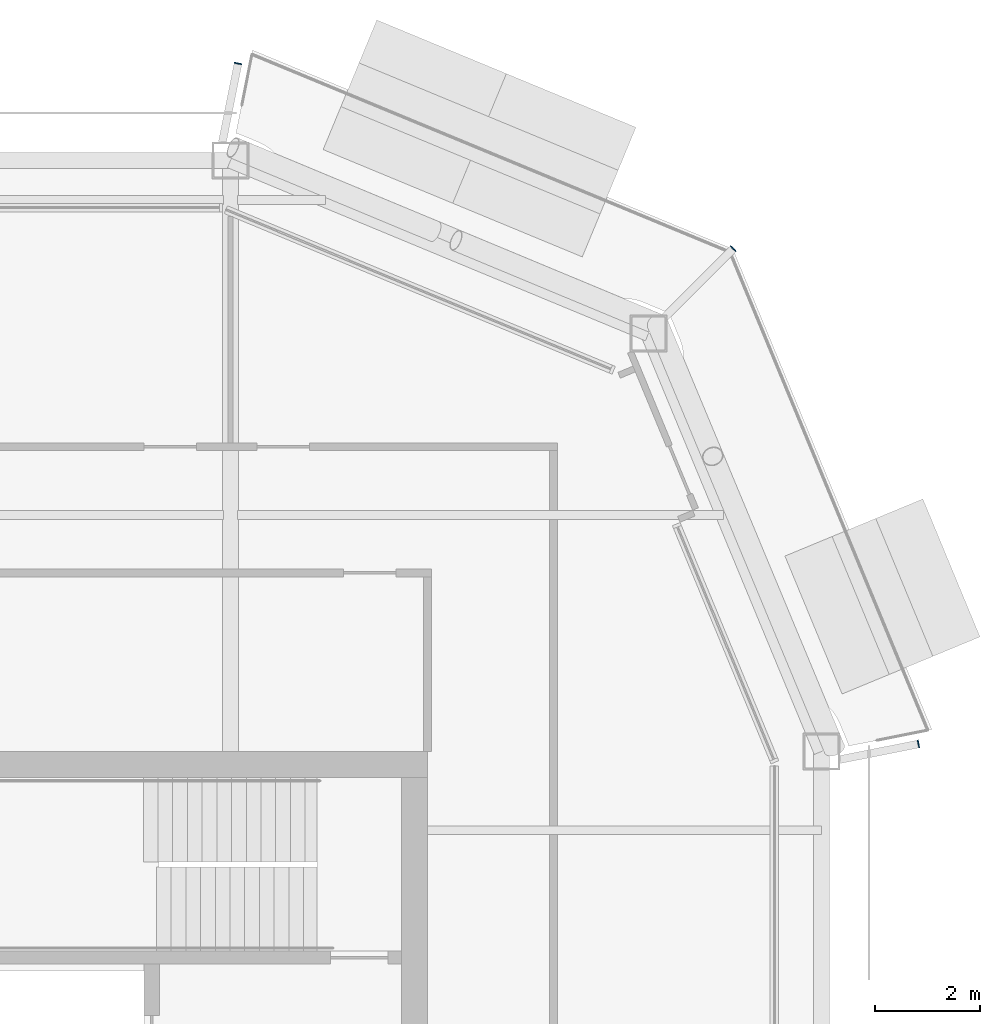
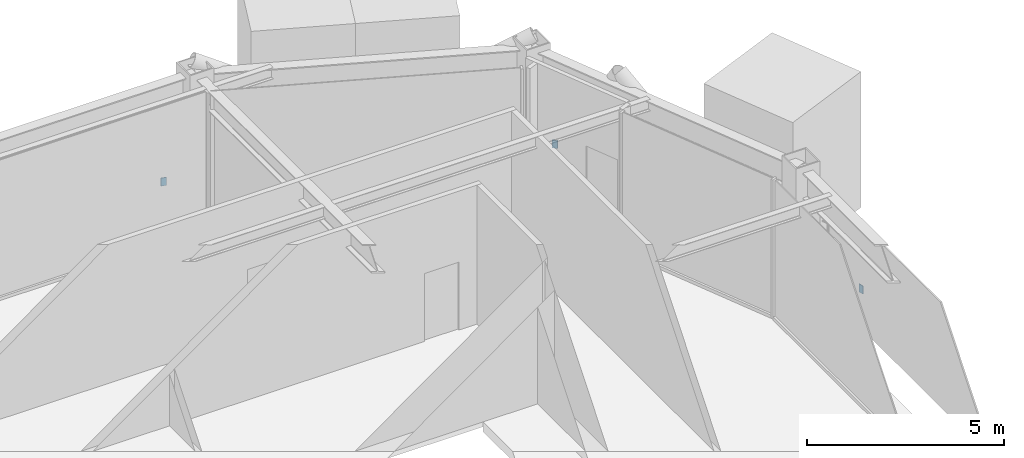
# One storey, part 16 of 21: 3 discrete accessories.
"""IFC4 building model written with IfcOpenShell, lengths in metres."""

from ifc_helpers import new_model, si_unit, direction, frame, origin, origin_2d, place, context, subcontext, project, spatial, rectangle, extrude, material, layer, layer_set, type_object, element, save


model = new_model("IFC4")

# Units and contexts
model_context = context("Model", 3, precision=1e-05, world=origin(), true_north=direction((0.0, 1.0)))
body_context = subcontext(model_context, "Body", "Model", "MODEL_VIEW")
ifc_project = project(units=[si_unit("LENGTHUNIT", "METRE"), si_unit("AREAUNIT", "SQUARE_METRE"), si_unit("VOLUMEUNIT", "CUBIC_METRE"), si_unit("PLANEANGLEUNIT", "RADIAN"), si_unit("MASSUNIT", "GRAM", prefix="KILO")], contexts=[model_context])

# Site, building, storey
site_placement = place(None, origin())
site = spatial("IfcSite", under=ifc_project, at=site_placement, CompositionType="ELEMENT")
building_placement = place(site_placement, origin())
building = spatial("IfcBuilding", under=site, at=building_placement, Name="Siwar Civic Tower", CompositionType="ELEMENT")
storey_placement = place(building_placement, frame((0.0, 0.0, 343.699951171875)))
storey = spatial("IfcBuildingStorey", under=building, at=storey_placement, Name="L74", CompositionType="ELEMENT", Elevation=343.699951171875)

# Discrete accessories
ifc_material = material(Name="Steel S355", Category="steel")
ifc_layer = layer(ifc_material, 0.02001953125)
ifc_layer_set = layer_set([ifc_layer], Name="Steel S355")
discrete_accessory_type = type_object("IfcDiscreteAccessoryType", Name="STR-END-CAP", PredefinedType="USERDEFINED", material=ifc_layer_set)
for number, where, z_axis, x_axis, name in (
    (1, (26.5947265625, 13.642578125, -0.39990234375), (0.0, 0.0, 1.0), (0.980785280396, 0.19509032205, 0.0), "End cap plate Balcony cantilever beam NE 1"),
    (2, (23.0693359375, 23.0693359375, -0.39990234375), (0.0, 0.0, 1.0), (0.707106781187, 0.707106781187, 0.0), "End cap plate Balcony cantilever beam NE 2"),
    (3, (13.642578125, 26.5947265625, -0.39990234375), (0.0, 0.0, 1.0), (0.19509032205, 0.980785280396, 0.0), "End cap plate Balcony cantilever beam NE 3"),
):
    element("IfcDiscreteAccessory", number, at=place(storey_placement, frame(where, z_axis=z_axis, x_axis=x_axis)), inside=storey, type_object=discrete_accessory_type, Name=name, ObjectType="END CAP PLATE", PredefinedType="USERDEFINED", context=body_context, shape_type="SweptSolid", body=[
        extrude(rectangle(XDim=0.02001953125, YDim=0.14990234375, at=origin_2d()), origin(), (0.0, 0.0, 1.0), 0.25),
    ])

save(model, "model.ifc")
